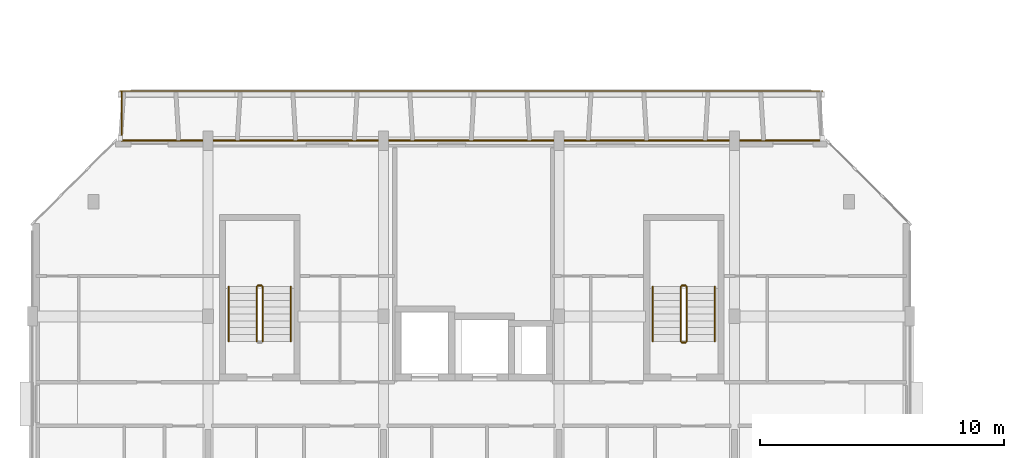
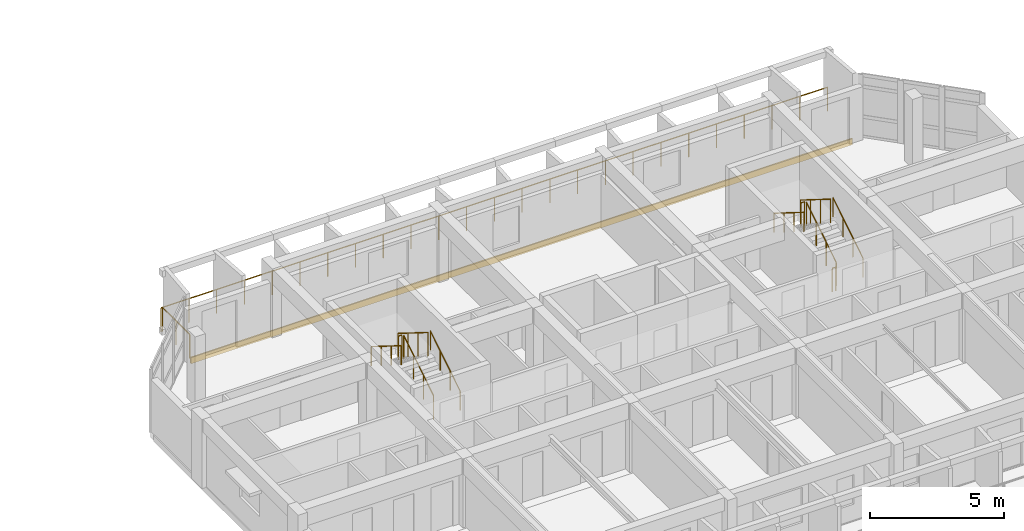
# One storey, part 37 of 45: 13 railings, 1 covering.
"""IFC4 building model written with IfcOpenShell, lengths in metres."""

from ifc_helpers import new_model, si_unit, direction, frame, origin, origin_2d, place, context, subcontext, project, spatial, rectangle, circle, extrude, material, layer, layer_set, type_object, element, save


model = new_model("IFC4")

# Units and contexts
model_context = context("Model", 3, precision=1e-05, world=origin(), true_north=direction((0.0, 1.0)))
body_context = subcontext(model_context, "Body", "Model", "MODEL_VIEW")
ifc_project = project(units=[si_unit("LENGTHUNIT", "METRE"), si_unit("AREAUNIT", "SQUARE_METRE"), si_unit("VOLUMEUNIT", "CUBIC_METRE"), si_unit("PLANEANGLEUNIT", "RADIAN"), si_unit("MASSUNIT", "GRAM", prefix="KILO")], contexts=[model_context])

# Site, building, storey
site_placement = place(None, origin())
site = spatial("IfcSite", under=ifc_project, at=site_placement, CompositionType="ELEMENT")
building_placement = place(site_placement, origin())
building = spatial("IfcBuilding", under=site, at=building_placement, Name="Ochrevale Crest", CompositionType="ELEMENT")
storey_placement = place(building_placement, frame((0.0, 0.0, 18.14990234375)))
storey = spatial("IfcBuildingStorey", under=building, at=storey_placement, Name="L05", CompositionType="ELEMENT", Elevation=18.14990234375)

# Covering
ifc_material_1 = material(Name="Glazed terracotta rainscreen tile", Category="masonry")
ifc_layer = layer(ifc_material_1, 0.048095703125)
ifc_layer_set = layer_set([ifc_layer], Name="Glazed terracotta rainscreen tile")
covering_type = type_object("IfcCoveringType", Name="COV-CLAD-TER", PredefinedType="CLADDING", material=ifc_layer_set)
covering_placement = place(storey_placement, frame((18.0, 36.012451171875, -0.259765625), z_axis=(0.0, 0.0, 1.0), x_axis=(-1.0, 0.0, 0.0)))
element("IfcCovering", 1, at=covering_placement, inside=storey, type_object=covering_type, Name="Block A L05 terracotta slab-edge spandrel cladding", PredefinedType="CLADDING", context=body_context, shape_type="SweptSolid", body=[
    extrude(rectangle(XDim=28.60009765625, YDim=0.06005859375, at=origin_2d()), origin(), (0.0, 0.0, 1.0), 0.280029296875),
])

# Railings
ifc_material_2 = material(Name="Galvanised steel", Category="steel")
railing_type_1 = type_object("IfcRailingType", Name="RL-BAL-1100", PredefinedType="BALUSTRADE", material=ifc_material_2)
railing_1_placement = place(storey_placement, frame((3.60009765625, 38.0400390625, 0.0)))
element("IfcRailing", 2, at=railing_1_placement, inside=storey, type_object=railing_type_1, Name="Block A L05 N balcony front balustrade", PredefinedType="BALUSTRADE", context=body_context, shape_type="SweptSolid", body=[
    extrude(circle(Radius=0.02392578125, at=origin_2d()), frame((0.0, 0.0, 1.0859375), z_axis=(1.0, 0.0, 0.0), x_axis=(0.0, 1.0, 0.0)), (0.0, 0.0, 1.0), 28.7998046875),
    extrude(circle(Radius=0.02099609375, at=origin_2d()), origin(), (0.0, 0.0, 1.0), 1.06201171875),
    extrude(circle(Radius=0.02099609375, at=origin_2d()), frame((1.199951171875, 0.0, 0.0)), (0.0, 0.0, 1.0), 1.06201171875),
    extrude(circle(Radius=0.02099609375, at=origin_2d()), frame((2.39990234375, 0.0, 0.0)), (0.0, 0.0, 1.0), 1.06201171875),
    extrude(circle(Radius=0.02099609375, at=origin_2d()), frame((3.60009765625, 0.0, 0.0)), (0.0, 0.0, 1.0), 1.06201171875),
    extrude(circle(Radius=0.02099609375, at=origin_2d()), frame((4.800048828125, 0.0, 0.0)), (0.0, 0.0, 1.0), 1.06201171875),
    extrude(circle(Radius=0.02099609375, at=origin_2d()), frame((6.0, 0.0, 0.0)), (0.0, 0.0, 1.0), 1.06201171875),
    extrude(circle(Radius=0.02099609375, at=origin_2d()), frame((7.199951171875, 0.0, 0.0)), (0.0, 0.0, 1.0), 1.06201171875),
    extrude(circle(Radius=0.02099609375, at=origin_2d()), frame((8.39990234375, 0.0, 0.0)), (0.0, 0.0, 1.0), 1.06201171875),
    extrude(circle(Radius=0.02099609375, at=origin_2d()), frame((9.599853515625, 0.0, 0.0)), (0.0, 0.0, 1.0), 1.06201171875),
    extrude(circle(Radius=0.02099609375, at=origin_2d()), frame((10.7998046875, 0.0, 0.0)), (0.0, 0.0, 1.0), 1.06201171875),
    extrude(circle(Radius=0.02099609375, at=origin_2d()), frame((12.0, 0.0, 0.0)), (0.0, 0.0, 1.0), 1.06201171875),
    extrude(circle(Radius=0.02099609375, at=origin_2d()), frame((13.199951171875, 0.0, 0.0)), (0.0, 0.0, 1.0), 1.06201171875),
    extrude(circle(Radius=0.02099609375, at=origin_2d()), frame((14.39990234375, 0.0, 0.0)), (0.0, 0.0, 1.0), 1.06201171875),
    extrude(circle(Radius=0.02099609375, at=origin_2d()), frame((15.599853515625, 0.0, 0.0)), (0.0, 0.0, 1.0), 1.06201171875),
    extrude(circle(Radius=0.02099609375, at=origin_2d()), frame((16.7998046875, 0.0, 0.0)), (0.0, 0.0, 1.0), 1.06201171875),
    extrude(circle(Radius=0.02099609375, at=origin_2d()), frame((18.0, 0.0, 0.0)), (0.0, 0.0, 1.0), 1.06201171875),
    extrude(circle(Radius=0.02099609375, at=origin_2d()), frame((19.199951171875, 0.0, 0.0)), (0.0, 0.0, 1.0), 1.06201171875),
    extrude(circle(Radius=0.02099609375, at=origin_2d()), frame((20.39990234375, 0.0, 0.0)), (0.0, 0.0, 1.0), 1.06201171875),
    extrude(circle(Radius=0.02099609375, at=origin_2d()), frame((21.599853515625, 0.0, 0.0)), (0.0, 0.0, 1.0), 1.06201171875),
    extrude(circle(Radius=0.02099609375, at=origin_2d()), frame((22.7998046875, 0.0, 0.0)), (0.0, 0.0, 1.0), 1.06201171875),
    extrude(circle(Radius=0.02099609375, at=origin_2d()), frame((23.999755859375, 0.0, 0.0)), (0.0, 0.0, 1.0), 1.06201171875),
    extrude(circle(Radius=0.02099609375, at=origin_2d()), frame((25.19970703125, 0.0, 0.0)), (0.0, 0.0, 1.0), 1.06201171875),
    extrude(circle(Radius=0.02099609375, at=origin_2d()), frame((26.39990234375, 0.0, 0.0)), (0.0, 0.0, 1.0), 1.06201171875),
    extrude(circle(Radius=0.02099609375, at=origin_2d()), frame((27.599853515625, 0.0, 0.0)), (0.0, 0.0, 1.0), 1.06201171875),
    extrude(circle(Radius=0.02099609375, at=origin_2d()), frame((28.7998046875, 0.0, 0.0)), (0.0, 0.0, 1.0), 1.06201171875),
])
railing_2_placement = place(storey_placement, frame((3.659912109375, 36.0, 0.0)))
element("IfcRailing", 3, at=railing_2_placement, inside=storey, type_object=railing_type_1, Name="Block A L05 N-W balcony side guard", PredefinedType="BALUSTRADE", context=body_context, shape_type="SweptSolid", body=[
    extrude(circle(Radius=0.02392578125, at=origin_2d()), frame((0.0, 0.0, 1.0859375), z_axis=(0.0, 1.0, 0.0), x_axis=(-1.0, 0.0, 0.0)), (0.0, 0.0, 1.0), 2.0400390625),
    extrude(circle(Radius=0.02099609375, at=origin_2d()), origin(), (0.0, 0.0, 1.0), 1.06201171875),
    extrude(circle(Radius=0.02099609375, at=origin_2d()), frame((0.0, 1.02001953125, 0.0)), (0.0, 0.0, 1.0), 1.06201171875),
    extrude(circle(Radius=0.02099609375, at=origin_2d()), frame((0.0, 2.0400390625, 0.0)), (0.0, 0.0, 1.0), 1.06201171875),
])
railing_type_2 = type_object("IfcRailingType", Name="RL-ST-GUARD", PredefinedType="BALUSTRADE", material=ifc_material_2)
railing_3_placement = place(storey_placement, frame((9.449951171875, 27.77490234375, 0.175048828125)))
element("IfcRailing", 4, at=railing_3_placement, inside=storey, type_object=railing_type_2, Name="L05 ST-A1 stair guard 1", PredefinedType="BALUSTRADE", context=body_context, shape_type="SweptSolid", body=[
    extrude(circle(Radius=0.02392578125, at=origin_2d()), frame((0.0, 0.0, 1.076171875), z_axis=(0.0, 0.847972341737, 0.530040477369), x_axis=(-1.0, 0.0, 0.0)), (0.0, 0.0, 1.0), 2.6416015625),
    extrude(circle(Radius=0.02099609375, at=origin_2d()), origin(), (0.0, 0.0, 1.0), 1.052001953125),
    extrude(circle(Radius=0.02099609375, at=origin_2d()), frame((0.0, 0.74658203125, 0.466796875)), (0.0, 0.0, 1.0), 1.052001953125),
    extrude(circle(Radius=0.02099609375, at=origin_2d()), frame((0.0, 1.493408203125, 0.933349609375)), (0.0, 0.0, 1.0), 1.052001953125),
    extrude(circle(Radius=0.02099609375, at=origin_2d()), frame((0.0, 2.239990234375, 1.400146484375)), (0.0, 0.0, 1.0), 1.052001953125),
])
railing_4_placement = place(storey_placement, frame((9.39990234375, 30.06494140625, 1.5751953125)))
element("IfcRailing", 5, at=railing_4_placement, inside=storey, type_object=railing_type_2, Name="L05 ST-A1 stair guard 2", PredefinedType="BALUSTRADE", context=body_context, shape_type="SweptSolid", body=[
    extrude(circle(Radius=0.02392578125, at=origin_2d()), frame((0.0, 0.0, 1.076171875), z_axis=(-1.0, 0.0, 0.0), x_axis=(0.0, -1.0, 0.0)), (0.0, 0.0, 1.0), 0.14990234375),
    extrude(circle(Radius=0.02099609375, at=origin_2d()), origin(), (0.0, 0.0, 1.0), 1.052001953125),
    extrude(circle(Radius=0.02099609375, at=origin_2d()), frame((-0.14990234375, 0.0, 0.0)), (0.0, 0.0, 1.0), 1.052001953125),
])
railing_5_placement = place(storey_placement, frame((9.199951171875, 30.014892578125, 1.75)))
element("IfcRailing", 6, at=railing_5_placement, inside=storey, type_object=railing_type_2, Name="L05 ST-A1 stair guard 3", PredefinedType="BALUSTRADE", context=body_context, shape_type="SweptSolid", body=[
    extrude(circle(Radius=0.02392578125, at=origin_2d()), frame((0.0, 0.0, 1.076171875), z_axis=(0.0, -0.847972341737, 0.530040477369), x_axis=(1.0, 0.0, 0.0)), (0.0, 0.0, 1.0), 2.6416015625),
    extrude(circle(Radius=0.02099609375, at=origin_2d()), origin(), (0.0, 0.0, 1.0), 1.052001953125),
    extrude(circle(Radius=0.02099609375, at=origin_2d()), frame((0.0, -0.74658203125, 0.466796875)), (0.0, 0.0, 1.0), 1.052001953125),
    extrude(circle(Radius=0.02099609375, at=origin_2d()), frame((0.0, -1.493408203125, 0.933349609375)), (0.0, 0.0, 1.0), 1.052001953125),
    extrude(circle(Radius=0.02099609375, at=origin_2d()), frame((0.0, -2.239990234375, 1.400146484375)), (0.0, 0.0, 1.0), 1.052001953125),
])
railing_6_placement = place(storey_placement, frame((26.85009765625, 27.77490234375, 0.175048828125)))
element("IfcRailing", 7, at=railing_6_placement, inside=storey, type_object=railing_type_2, Name="L05 ST-A2 stair guard 1", PredefinedType="BALUSTRADE", context=body_context, shape_type="SweptSolid", body=[
    extrude(circle(Radius=0.02392578125, at=origin_2d()), frame((0.0, 0.0, 1.076171875), z_axis=(0.0, 0.847972341737, 0.530040477369), x_axis=(-1.0, 0.0, 0.0)), (0.0, 0.0, 1.0), 2.6416015625),
    extrude(circle(Radius=0.02099609375, at=origin_2d()), origin(), (0.0, 0.0, 1.0), 1.052001953125),
    extrude(circle(Radius=0.02099609375, at=origin_2d()), frame((0.0, 0.74658203125, 0.466796875)), (0.0, 0.0, 1.0), 1.052001953125),
    extrude(circle(Radius=0.02099609375, at=origin_2d()), frame((0.0, 1.493408203125, 0.933349609375)), (0.0, 0.0, 1.0), 1.052001953125),
    extrude(circle(Radius=0.02099609375, at=origin_2d()), frame((0.0, 2.239990234375, 1.400146484375)), (0.0, 0.0, 1.0), 1.052001953125),
])
railing_7_placement = place(storey_placement, frame((26.800048828125, 30.06494140625, 1.5751953125)))
element("IfcRailing", 8, at=railing_7_placement, inside=storey, type_object=railing_type_2, Name="L05 ST-A2 stair guard 2", PredefinedType="BALUSTRADE", context=body_context, shape_type="SweptSolid", body=[
    extrude(circle(Radius=0.02392578125, at=origin_2d()), frame((0.0, 0.0, 1.076171875), z_axis=(-1.0, 0.0, 0.0), x_axis=(0.0, -1.0, 0.0)), (0.0, 0.0, 1.0), 0.150146484375),
    extrude(circle(Radius=0.02099609375, at=origin_2d()), origin(), (0.0, 0.0, 1.0), 1.052001953125),
    extrude(circle(Radius=0.02099609375, at=origin_2d()), frame((-0.150146484375, 0.0, 0.0)), (0.0, 0.0, 1.0), 1.052001953125),
])
railing_8_placement = place(storey_placement, frame((26.60009765625, 30.014892578125, 1.75)))
element("IfcRailing", 9, at=railing_8_placement, inside=storey, type_object=railing_type_2, Name="L05 ST-A2 stair guard 3", PredefinedType="BALUSTRADE", context=body_context, shape_type="SweptSolid", body=[
    extrude(circle(Radius=0.02392578125, at=origin_2d()), frame((0.0, 0.0, 1.076171875), z_axis=(0.0, -0.847972341737, 0.530040477369), x_axis=(1.0, 0.0, 0.0)), (0.0, 0.0, 1.0), 2.6416015625),
    extrude(circle(Radius=0.02099609375, at=origin_2d()), origin(), (0.0, 0.0, 1.0), 1.052001953125),
    extrude(circle(Radius=0.02099609375, at=origin_2d()), frame((0.0, -0.74658203125, 0.466796875)), (0.0, 0.0, 1.0), 1.052001953125),
    extrude(circle(Radius=0.02099609375, at=origin_2d()), frame((0.0, -1.493408203125, 0.933349609375)), (0.0, 0.0, 1.0), 1.052001953125),
    extrude(circle(Radius=0.02099609375, at=origin_2d()), frame((0.0, -2.239990234375, 1.400146484375)), (0.0, 0.0, 1.0), 1.052001953125),
])
railing_9_placement = place(storey_placement, frame((26.800048828125, 27.72509765625, 0.0)))
element("IfcRailing", 10, at=railing_9_placement, inside=storey, type_object=railing_type_2, Name="L05 ST-A2 stair guard 4", PredefinedType="BALUSTRADE", context=body_context, shape_type="SweptSolid", body=[
    extrude(circle(Radius=0.02392578125, at=origin_2d()), frame((0.0, 0.0, 1.076171875), z_axis=(-1.0, 0.0, 0.0), x_axis=(0.0, -1.0, 0.0)), (0.0, 0.0, 1.0), 0.150146484375),
    extrude(circle(Radius=0.02099609375, at=origin_2d()), origin(), (0.0, 0.0, 1.0), 1.052001953125),
    extrude(circle(Radius=0.02099609375, at=origin_2d()), frame((-0.150146484375, 0.0, 0.0)), (0.0, 0.0, 1.0), 1.052001953125),
])
ifc_material_3 = material(Name="Stainless steel", Category="steel")
railing_type_3 = type_object("IfcRailingType", Name="RL-ST-HRAIL", PredefinedType="HANDRAIL", material=ifc_material_3)
railing_10_placement = place(storey_placement, frame((10.60009765625, 27.77490234375, 0.175048828125)))
element("IfcRailing", 11, at=railing_10_placement, inside=storey, type_object=railing_type_3, Name="L05 ST-A1 stair handrail 1", PredefinedType="HANDRAIL", context=body_context, shape_type="SweptSolid", body=[
    extrude(circle(Radius=0.02392578125, at=origin_2d()), frame((0.0, 0.0, 0.8759765625), z_axis=(0.0, 0.847972341737, 0.530040477369), x_axis=(-1.0, 0.0, 0.0)), (0.0, 0.0, 1.0), 2.6416015625),
    extrude(circle(Radius=0.02099609375, at=origin_2d()), origin(), (0.0, 0.0, 1.0), 0.851806640625),
    extrude(circle(Radius=0.02099609375, at=origin_2d()), frame((0.0, 0.74658203125, 0.466796875)), (0.0, 0.0, 1.0), 0.851806640625),
    extrude(circle(Radius=0.02099609375, at=origin_2d()), frame((0.0, 1.493408203125, 0.933349609375)), (0.0, 0.0, 1.0), 0.851806640625),
    extrude(circle(Radius=0.02099609375, at=origin_2d()), frame((0.0, 2.239990234375, 1.400146484375)), (0.0, 0.0, 1.0), 0.851806640625),
])
railing_11_placement = place(storey_placement, frame((8.050048828125, 30.014892578125, 1.75)))
element("IfcRailing", 12, at=railing_11_placement, inside=storey, type_object=railing_type_3, Name="L05 ST-A1 stair handrail 2", PredefinedType="HANDRAIL", context=body_context, shape_type="SweptSolid", body=[
    extrude(circle(Radius=0.02392578125, at=origin_2d()), frame((0.0, 0.0, 0.8759765625), z_axis=(0.0, -0.847972341737, 0.530040477369), x_axis=(1.0, 0.0, 0.0)), (0.0, 0.0, 1.0), 2.6416015625),
    extrude(circle(Radius=0.02099609375, at=origin_2d()), origin(), (0.0, 0.0, 1.0), 0.851806640625),
    extrude(circle(Radius=0.02099609375, at=origin_2d()), frame((0.0, -0.74658203125, 0.466796875)), (0.0, 0.0, 1.0), 0.851806640625),
    extrude(circle(Radius=0.02099609375, at=origin_2d()), frame((0.0, -1.493408203125, 0.933349609375)), (0.0, 0.0, 1.0), 0.851806640625),
    extrude(circle(Radius=0.02099609375, at=origin_2d()), frame((0.0, -2.239990234375, 1.400146484375)), (0.0, 0.0, 1.0), 0.851806640625),
])
railing_12_placement = place(storey_placement, frame((28.0, 27.77490234375, 0.175048828125)))
element("IfcRailing", 13, at=railing_12_placement, inside=storey, type_object=railing_type_3, Name="L05 ST-A2 stair handrail 1", PredefinedType="HANDRAIL", context=body_context, shape_type="SweptSolid", body=[
    extrude(circle(Radius=0.02392578125, at=origin_2d()), frame((0.0, 0.0, 0.8759765625), z_axis=(0.0, 0.847972341737, 0.530040477369), x_axis=(-1.0, 0.0, 0.0)), (0.0, 0.0, 1.0), 2.6416015625),
    extrude(circle(Radius=0.02099609375, at=origin_2d()), origin(), (0.0, 0.0, 1.0), 0.851806640625),
    extrude(circle(Radius=0.02099609375, at=origin_2d()), frame((0.0, 0.74658203125, 0.466796875)), (0.0, 0.0, 1.0), 0.851806640625),
    extrude(circle(Radius=0.02099609375, at=origin_2d()), frame((0.0, 1.493408203125, 0.933349609375)), (0.0, 0.0, 1.0), 0.851806640625),
    extrude(circle(Radius=0.02099609375, at=origin_2d()), frame((0.0, 2.239990234375, 1.400146484375)), (0.0, 0.0, 1.0), 0.851806640625),
])
railing_13_placement = place(storey_placement, frame((25.449951171875, 30.014892578125, 1.75)))
element("IfcRailing", 14, at=railing_13_placement, inside=storey, type_object=railing_type_3, Name="L05 ST-A2 stair handrail 2", PredefinedType="HANDRAIL", context=body_context, shape_type="SweptSolid", body=[
    extrude(circle(Radius=0.02392578125, at=origin_2d()), frame((0.0, 0.0, 0.8759765625), z_axis=(0.0, -0.847972341737, 0.530040477369), x_axis=(1.0, 0.0, 0.0)), (0.0, 0.0, 1.0), 2.6416015625),
    extrude(circle(Radius=0.02099609375, at=origin_2d()), origin(), (0.0, 0.0, 1.0), 0.851806640625),
    extrude(circle(Radius=0.02099609375, at=origin_2d()), frame((0.0, -0.74658203125, 0.466796875)), (0.0, 0.0, 1.0), 0.851806640625),
    extrude(circle(Radius=0.02099609375, at=origin_2d()), frame((0.0, -1.493408203125, 0.933349609375)), (0.0, 0.0, 1.0), 0.851806640625),
    extrude(circle(Radius=0.02099609375, at=origin_2d()), frame((0.0, -2.239990234375, 1.400146484375)), (0.0, 0.0, 1.0), 0.851806640625),
])

save(model, "model.ifc")
